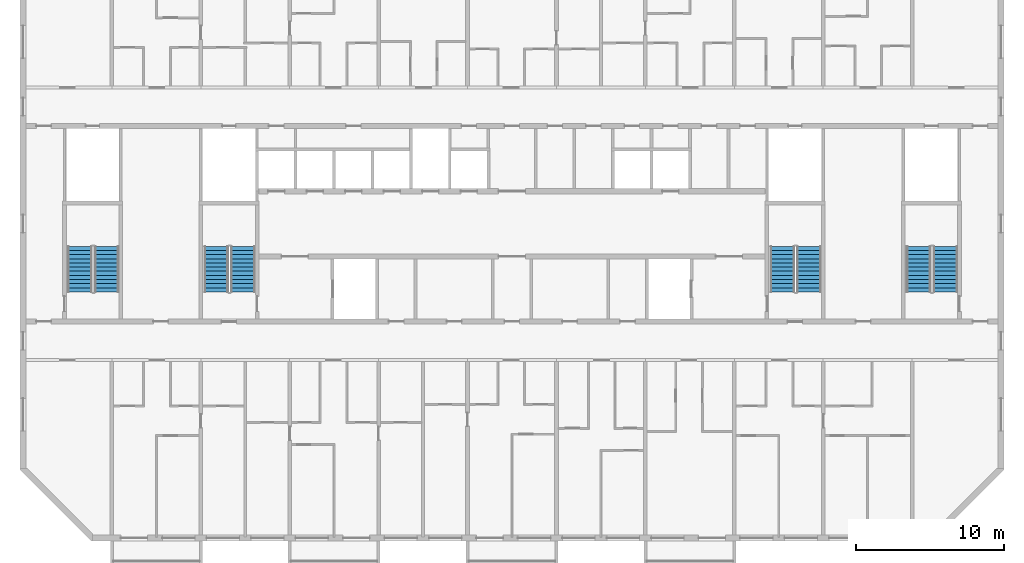
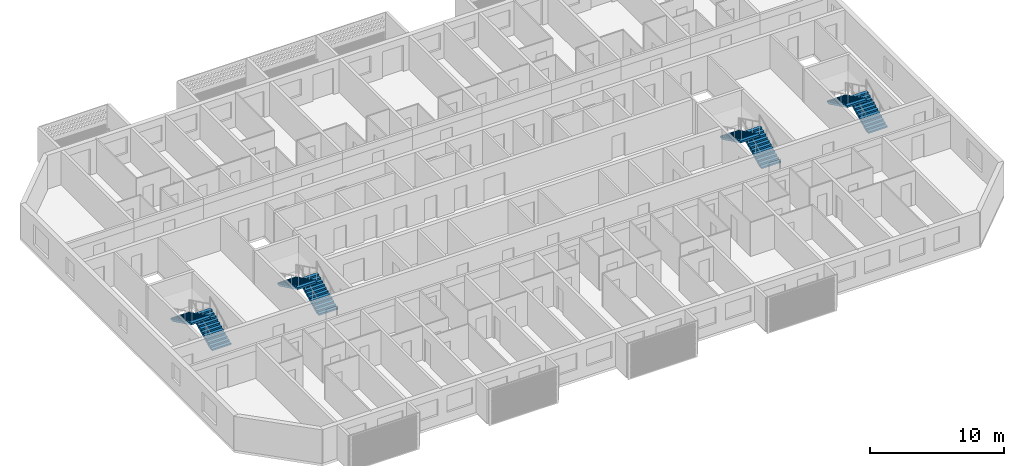
# One storey, part 12 of 29: 8 stair flights, 4 elements without a shape of their own.
"""IFC4 building model written with IfcOpenShell, lengths in metres."""

from ifc_helpers import new_model, si_unit, direction, frame, origin, place, context, subcontext, project, spatial, polyline, outline, extrude, material, layer, layer_set, type_object, element, aggregate, save


model = new_model("IFC4")

# Units and contexts
model_context = context("Model", 3, precision=1e-05, world=origin(), true_north=direction((0.0, 1.0)))
body_context = subcontext(model_context, "Body", "Model", "MODEL_VIEW")
ifc_project = project(units=[si_unit("LENGTHUNIT", "METRE"), si_unit("AREAUNIT", "SQUARE_METRE"), si_unit("VOLUMEUNIT", "CUBIC_METRE"), si_unit("PLANEANGLEUNIT", "RADIAN"), si_unit("MASSUNIT", "GRAM", prefix="KILO")], contexts=[model_context])

# Site, building, storey
site_placement = place(None, origin())
site = spatial("IfcSite", under=ifc_project, at=site_placement, CompositionType="ELEMENT")
building_placement = place(site_placement, origin())
building = spatial("IfcBuilding", under=site, at=building_placement, Name="Poui Terraces", CompositionType="ELEMENT")
storey_placement = place(building_placement, frame((0.0, 0.0, 234.60009765625)))
storey = spatial("IfcBuildingStorey", under=building, at=storey_placement, Name="L65", CompositionType="ELEMENT", Elevation=234.60009765625)

# Stair, stair flights
ifc_material = material(Name="Concrete 50 MPa", Category="concrete")
stair_type = type_object("IfcStairType", Name="EXIT STAIR 1650 50 MPA", PredefinedType="HALF_TURN_STAIR", material=ifc_material)
stair_1_placement = place(storey_placement, origin())
stair_1 = element("IfcStair", 1, at=stair_1_placement, inside=storey, type_object=stair_type, Name="L65 CORE STAIR EAST", PredefinedType="HALF_TURN_STAIR")
ifc_layer = layer(ifc_material, 0.14990234375)
ifc_layer_set = layer_set([ifc_layer], Name="Concrete 50 MPa")
stair_flight_type = type_object("IfcStairFlightType", Name="STAIR FLIGHT 12 RISERS 138 RISE 50 MPA", PredefinedType="STRAIGHT", material=ifc_layer_set)
stair_flight_1_placement = place(storey_placement, frame((71.050048828125, 16.60009765625, 0.0), z_axis=(0.0, 0.0, 1.0), x_axis=(0.0, 1.0, 0.0)))
stair_flight_1 = element("IfcStairFlight", 2, at=stair_flight_1_placement, type_object=stair_flight_type, Name="ST-CE flight 1", NumberOfRisers=12, NumberOfTreads=11, PredefinedType="STRAIGHT", RiserHeight=0.1375, TreadLength=0.28, context=body_context, shape_type="SweptSolid", body=[
    extrude(outline(polyline([(0.0, 0.0), (0.0, 0.137451171875), (0.280029296875, 0.137451171875), (0.280029296875, 0.27490234375), (0.56005859375, 0.27490234375), (0.56005859375, 0.41259765625), (0.840087890625, 0.41259765625), (0.840087890625, 0.550048828125), (1.1201171875, 0.550048828125), (1.1201171875, 0.6875), (1.39990234375, 0.6875), (1.39990234375, 0.824951171875), (1.679931640625, 0.824951171875), (1.679931640625, 0.96240234375), (1.9599609375, 0.96240234375), (1.9599609375, 1.10009765625), (2.239990234375, 1.10009765625), (2.239990234375, 1.237548828125), (2.52001953125, 1.237548828125), (2.52001953125, 1.375), (2.800048828125, 1.375), (2.800048828125, 1.512451171875), (3.080078125, 1.512451171875), (3.080078125, 1.64990234375), (3.080078125, 1.345458984375), (0.340087890625, 0.0), (0.0, 0.0)])), frame((0.0, 0.824951171875, 0.0), z_axis=(0.0, -1.0, 0.0), x_axis=(1.0, 0.0, 0.0)), (0.0, 0.0, 1.0), 1.64990234375),
])
stair_flight_2_placement = place(storey_placement, frame((69.25, 19.679931640625, 1.64990234375), z_axis=(0.0, 0.0, 1.0), x_axis=(0.0, -1.0, 0.0)))
stair_flight_2 = element("IfcStairFlight", 3, at=stair_flight_2_placement, type_object=stair_flight_type, Name="ST-CE flight 2", NumberOfRisers=12, NumberOfTreads=11, PredefinedType="STRAIGHT", RiserHeight=0.1375, TreadLength=0.28, context=body_context, shape_type="SweptSolid", body=[
    extrude(outline(polyline([(0.0, 0.0), (0.0, 0.137451171875), (0.280029296875, 0.137451171875), (0.280029296875, 0.27490234375), (0.56005859375, 0.27490234375), (0.56005859375, 0.41259765625), (0.840087890625, 0.41259765625), (0.840087890625, 0.550048828125), (1.1201171875, 0.550048828125), (1.1201171875, 0.6875), (1.39990234375, 0.6875), (1.39990234375, 0.824951171875), (1.679931640625, 0.824951171875), (1.679931640625, 0.96240234375), (1.9599609375, 0.96240234375), (1.9599609375, 1.10009765625), (2.239990234375, 1.10009765625), (2.239990234375, 1.237548828125), (2.52001953125, 1.237548828125), (2.52001953125, 1.375), (2.800048828125, 1.375), (2.800048828125, 1.512451171875), (3.080078125, 1.512451171875), (3.080078125, 1.64990234375), (3.080078125, 1.345458984375), (0.340087890625, 0.0), (0.0, 0.0)])), frame((0.0, 0.824951171875, 0.0), z_axis=(0.0, -1.0, 0.0), x_axis=(1.0, 0.0, 0.0)), (0.0, 0.0, 1.0), 1.64990234375),
])
aggregate(stair_1, [stair_flight_1, stair_flight_2])

stair_2_placement = place(storey_placement, origin())
stair_2 = element("IfcStair", 4, at=stair_2_placement, inside=storey, type_object=stair_type, Name="L65 CORE STAIR WEST", PredefinedType="HALF_TURN_STAIR")
stair_flight_3_placement = place(storey_placement, frame((32.85009765625, 16.60009765625, 0.0), z_axis=(0.0, 0.0, 1.0), x_axis=(0.0, 1.0, 0.0)))
stair_flight_3 = element("IfcStairFlight", 5, at=stair_flight_3_placement, type_object=stair_flight_type, Name="ST-CW flight 1", NumberOfRisers=12, NumberOfTreads=11, PredefinedType="STRAIGHT", RiserHeight=0.1375, TreadLength=0.28, context=body_context, shape_type="SweptSolid", body=[
    extrude(outline(polyline([(0.0, 0.0), (0.0, 0.137451171875), (0.280029296875, 0.137451171875), (0.280029296875, 0.27490234375), (0.56005859375, 0.27490234375), (0.56005859375, 0.41259765625), (0.840087890625, 0.41259765625), (0.840087890625, 0.550048828125), (1.1201171875, 0.550048828125), (1.1201171875, 0.6875), (1.39990234375, 0.6875), (1.39990234375, 0.824951171875), (1.679931640625, 0.824951171875), (1.679931640625, 0.96240234375), (1.9599609375, 0.96240234375), (1.9599609375, 1.10009765625), (2.239990234375, 1.10009765625), (2.239990234375, 1.237548828125), (2.52001953125, 1.237548828125), (2.52001953125, 1.375), (2.800048828125, 1.375), (2.800048828125, 1.512451171875), (3.080078125, 1.512451171875), (3.080078125, 1.64990234375), (3.080078125, 1.345458984375), (0.340087890625, 0.0), (0.0, 0.0)])), frame((0.0, 0.824951171875, 0.0), z_axis=(0.0, -1.0, 0.0), x_axis=(1.0, 0.0, 0.0)), (0.0, 0.0, 1.0), 1.64990234375),
])
stair_flight_4_placement = place(storey_placement, frame((31.050048828125, 19.679931640625, 1.64990234375), z_axis=(0.0, 0.0, 1.0), x_axis=(0.0, -1.0, 0.0)))
stair_flight_4 = element("IfcStairFlight", 6, at=stair_flight_4_placement, type_object=stair_flight_type, Name="ST-CW flight 2", NumberOfRisers=12, NumberOfTreads=11, PredefinedType="STRAIGHT", RiserHeight=0.1375, TreadLength=0.28, context=body_context, shape_type="SweptSolid", body=[
    extrude(outline(polyline([(0.0, 0.0), (0.0, 0.137451171875), (0.280029296875, 0.137451171875), (0.280029296875, 0.27490234375), (0.56005859375, 0.27490234375), (0.56005859375, 0.41259765625), (0.840087890625, 0.41259765625), (0.840087890625, 0.550048828125), (1.1201171875, 0.550048828125), (1.1201171875, 0.6875), (1.39990234375, 0.6875), (1.39990234375, 0.824951171875), (1.679931640625, 0.824951171875), (1.679931640625, 0.96240234375), (1.9599609375, 0.96240234375), (1.9599609375, 1.10009765625), (2.239990234375, 1.10009765625), (2.239990234375, 1.237548828125), (2.52001953125, 1.237548828125), (2.52001953125, 1.375), (2.800048828125, 1.375), (2.800048828125, 1.512451171875), (3.080078125, 1.512451171875), (3.080078125, 1.64990234375), (3.080078125, 1.345458984375), (0.340087890625, 0.0), (0.0, 0.0)])), frame((0.0, 0.824951171875, 0.0), z_axis=(0.0, -1.0, 0.0), x_axis=(1.0, 0.0, 0.0)), (0.0, 0.0, 1.0), 1.64990234375),
])
aggregate(stair_2, [stair_flight_3, stair_flight_4])

stair_3_placement = place(storey_placement, origin())
stair_3 = element("IfcStair", 7, at=stair_3_placement, inside=storey, type_object=stair_type, Name="L65 TIP STAIR EAST", PredefinedType="HALF_TURN_STAIR")
stair_flight_5_placement = place(storey_placement, frame((80.25, 16.60009765625, 0.0), z_axis=(0.0, 0.0, 1.0), x_axis=(0.0, 1.0, 0.0)))
stair_flight_5 = element("IfcStairFlight", 8, at=stair_flight_5_placement, type_object=stair_flight_type, Name="ST-E flight 1", NumberOfRisers=12, NumberOfTreads=11, PredefinedType="STRAIGHT", RiserHeight=0.1375, TreadLength=0.28, context=body_context, shape_type="SweptSolid", body=[
    extrude(outline(polyline([(0.0, 0.0), (0.0, 0.137451171875), (0.280029296875, 0.137451171875), (0.280029296875, 0.27490234375), (0.56005859375, 0.27490234375), (0.56005859375, 0.41259765625), (0.840087890625, 0.41259765625), (0.840087890625, 0.550048828125), (1.1201171875, 0.550048828125), (1.1201171875, 0.6875), (1.39990234375, 0.6875), (1.39990234375, 0.824951171875), (1.679931640625, 0.824951171875), (1.679931640625, 0.96240234375), (1.9599609375, 0.96240234375), (1.9599609375, 1.10009765625), (2.239990234375, 1.10009765625), (2.239990234375, 1.237548828125), (2.52001953125, 1.237548828125), (2.52001953125, 1.375), (2.800048828125, 1.375), (2.800048828125, 1.512451171875), (3.080078125, 1.512451171875), (3.080078125, 1.64990234375), (3.080078125, 1.345458984375), (0.340087890625, 0.0), (0.0, 0.0)])), frame((0.0, 0.824951171875, 0.0), z_axis=(0.0, -1.0, 0.0), x_axis=(1.0, 0.0, 0.0)), (0.0, 0.0, 1.0), 1.64990234375),
])
stair_flight_6_placement = place(storey_placement, frame((78.449951171875, 19.679931640625, 1.64990234375), z_axis=(0.0, 0.0, 1.0), x_axis=(0.0, -1.0, 0.0)))
stair_flight_6 = element("IfcStairFlight", 9, at=stair_flight_6_placement, type_object=stair_flight_type, Name="ST-E flight 2", NumberOfRisers=12, NumberOfTreads=11, PredefinedType="STRAIGHT", RiserHeight=0.1375, TreadLength=0.28, context=body_context, shape_type="SweptSolid", body=[
    extrude(outline(polyline([(0.0, 0.0), (0.0, 0.137451171875), (0.280029296875, 0.137451171875), (0.280029296875, 0.27490234375), (0.56005859375, 0.27490234375), (0.56005859375, 0.41259765625), (0.840087890625, 0.41259765625), (0.840087890625, 0.550048828125), (1.1201171875, 0.550048828125), (1.1201171875, 0.6875), (1.39990234375, 0.6875), (1.39990234375, 0.824951171875), (1.679931640625, 0.824951171875), (1.679931640625, 0.96240234375), (1.9599609375, 0.96240234375), (1.9599609375, 1.10009765625), (2.239990234375, 1.10009765625), (2.239990234375, 1.237548828125), (2.52001953125, 1.237548828125), (2.52001953125, 1.375), (2.800048828125, 1.375), (2.800048828125, 1.512451171875), (3.080078125, 1.512451171875), (3.080078125, 1.64990234375), (3.080078125, 1.345458984375), (0.340087890625, 0.0), (0.0, 0.0)])), frame((0.0, 0.824951171875, 0.0), z_axis=(0.0, -1.0, 0.0), x_axis=(1.0, 0.0, 0.0)), (0.0, 0.0, 1.0), 1.64990234375),
])
aggregate(stair_3, [stair_flight_5, stair_flight_6])

stair_4_placement = place(storey_placement, origin())
stair_4 = element("IfcStair", 10, at=stair_4_placement, inside=storey, type_object=stair_type, Name="L65 TIP STAIR WEST", PredefinedType="HALF_TURN_STAIR")
stair_flight_7_placement = place(storey_placement, frame((23.64990234375, 16.60009765625, 0.0), z_axis=(0.0, 0.0, 1.0), x_axis=(0.0, 1.0, 0.0)))
stair_flight_7 = element("IfcStairFlight", 11, at=stair_flight_7_placement, type_object=stair_flight_type, Name="ST-W flight 1", NumberOfRisers=12, NumberOfTreads=11, PredefinedType="STRAIGHT", RiserHeight=0.1375, TreadLength=0.28, context=body_context, shape_type="SweptSolid", body=[
    extrude(outline(polyline([(0.0, 0.0), (0.0, 0.137451171875), (0.280029296875, 0.137451171875), (0.280029296875, 0.27490234375), (0.56005859375, 0.27490234375), (0.56005859375, 0.41259765625), (0.840087890625, 0.41259765625), (0.840087890625, 0.550048828125), (1.1201171875, 0.550048828125), (1.1201171875, 0.6875), (1.39990234375, 0.6875), (1.39990234375, 0.824951171875), (1.679931640625, 0.824951171875), (1.679931640625, 0.96240234375), (1.9599609375, 0.96240234375), (1.9599609375, 1.10009765625), (2.239990234375, 1.10009765625), (2.239990234375, 1.237548828125), (2.52001953125, 1.237548828125), (2.52001953125, 1.375), (2.800048828125, 1.375), (2.800048828125, 1.512451171875), (3.080078125, 1.512451171875), (3.080078125, 1.64990234375), (3.080078125, 1.345458984375), (0.340087890625, 0.0), (0.0, 0.0)])), frame((0.0, 0.824951171875, 0.0), z_axis=(0.0, -1.0, 0.0), x_axis=(1.0, 0.0, 0.0)), (0.0, 0.0, 1.0), 1.64990234375),
])
stair_flight_8_placement = place(storey_placement, frame((21.85009765625, 19.679931640625, 1.64990234375), z_axis=(0.0, 0.0, 1.0), x_axis=(0.0, -1.0, 0.0)))
stair_flight_8 = element("IfcStairFlight", 12, at=stair_flight_8_placement, type_object=stair_flight_type, Name="ST-W flight 2", NumberOfRisers=12, NumberOfTreads=11, PredefinedType="STRAIGHT", RiserHeight=0.1375, TreadLength=0.28, context=body_context, shape_type="SweptSolid", body=[
    extrude(outline(polyline([(0.0, 0.0), (0.0, 0.137451171875), (0.280029296875, 0.137451171875), (0.280029296875, 0.27490234375), (0.56005859375, 0.27490234375), (0.56005859375, 0.41259765625), (0.840087890625, 0.41259765625), (0.840087890625, 0.550048828125), (1.1201171875, 0.550048828125), (1.1201171875, 0.6875), (1.39990234375, 0.6875), (1.39990234375, 0.824951171875), (1.679931640625, 0.824951171875), (1.679931640625, 0.96240234375), (1.9599609375, 0.96240234375), (1.9599609375, 1.10009765625), (2.239990234375, 1.10009765625), (2.239990234375, 1.237548828125), (2.52001953125, 1.237548828125), (2.52001953125, 1.375), (2.800048828125, 1.375), (2.800048828125, 1.512451171875), (3.080078125, 1.512451171875), (3.080078125, 1.64990234375), (3.080078125, 1.345458984375), (0.340087890625, 0.0), (0.0, 0.0)])), frame((0.0, 0.824951171875, 0.0), z_axis=(0.0, -1.0, 0.0), x_axis=(1.0, 0.0, 0.0)), (0.0, 0.0, 1.0), 1.64990234375),
])
aggregate(stair_4, [stair_flight_7, stair_flight_8])

save(model, "model.ifc")
